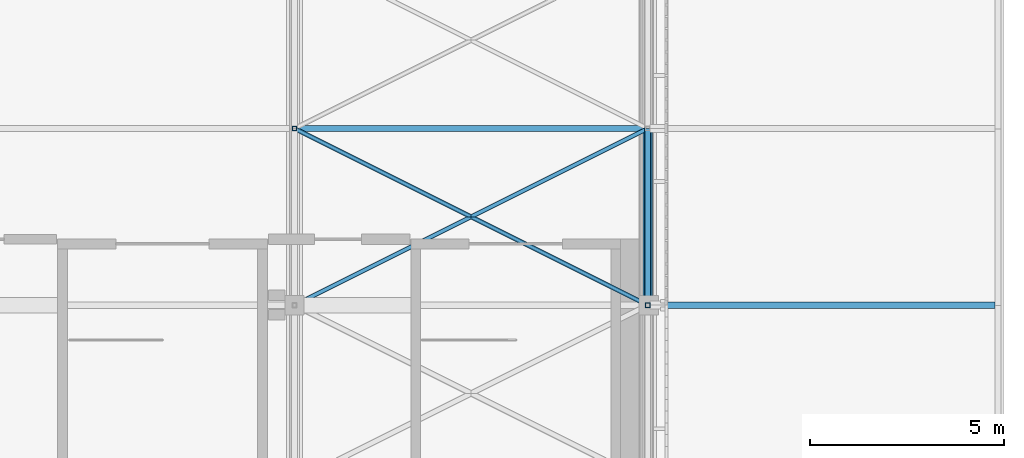
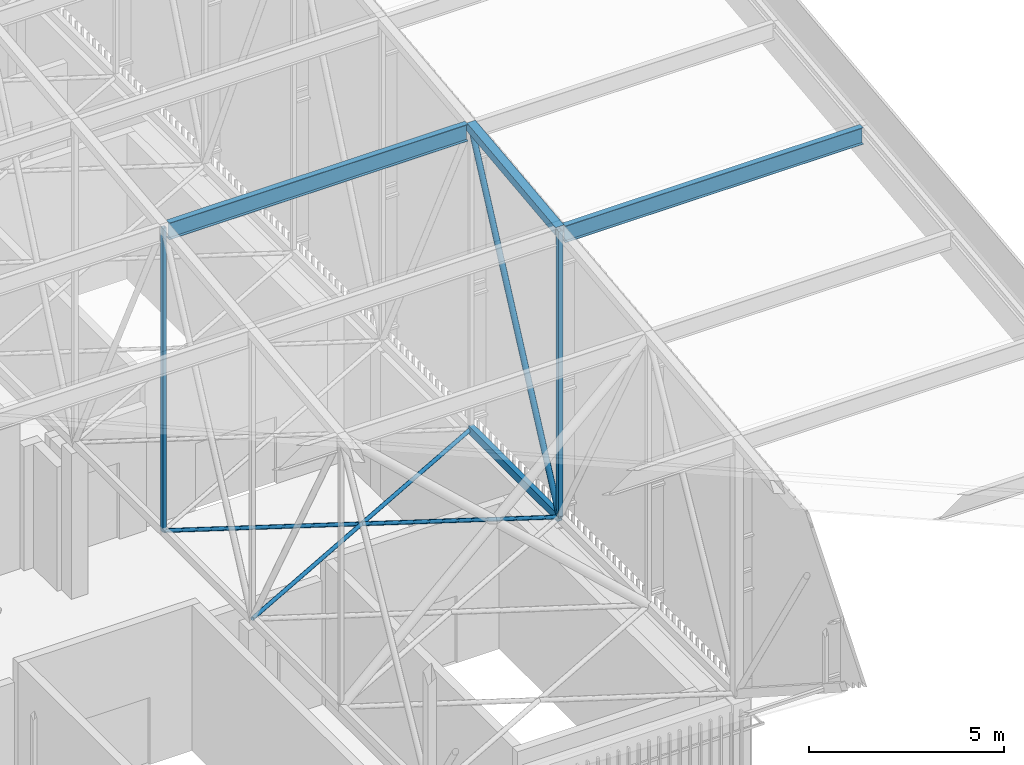
# One storey, part 342 of 500: 9 members.
"""IFC4 building model written with IfcOpenShell, lengths in metres."""

from ifc_helpers import new_model, si_unit, direction, frame, origin, origin_2d, place, context, subcontext, project, spatial, hollow_rectangle, hollow_circle, i_section, extrude, material, material_profile, profile_set, type_object, element, save


model = new_model("IFC4")

# Units and contexts
model_context = context("Model", 3, precision=1e-05, world=origin(), true_north=direction((0.0, 1.0)))
body_context = subcontext(model_context, "Body", "Model", "MODEL_VIEW")
ifc_project = project(units=[si_unit("LENGTHUNIT", "METRE"), si_unit("AREAUNIT", "SQUARE_METRE"), si_unit("VOLUMEUNIT", "CUBIC_METRE"), si_unit("PLANEANGLEUNIT", "RADIAN"), si_unit("MASSUNIT", "GRAM", prefix="KILO")], contexts=[model_context])

# Site, building, storey
site_placement = place(None, origin())
site = spatial("IfcSite", under=ifc_project, at=site_placement, CompositionType="ELEMENT")
building_placement = place(site_placement, origin())
building = spatial("IfcBuilding", under=site, at=building_placement, Name="Shirokan Park Arena", CompositionType="ELEMENT")
storey_placement = place(building_placement, frame((0.0, 0.0, 29.1201171875)))
storey = spatial("IfcBuildingStorey", under=building, at=storey_placement, Name="L06", CompositionType="ELEMENT", Elevation=29.1201171875)

# Members
ifc_material_1 = material(Name="Steel ASTM A500 Grade C", Category="steel")
ifc_material_profile_1 = material_profile(ifc_material_1, hollow_rectangle(XDim=0.152099609375, YDim=0.25390625, WallThickness=0.009521484375, at=origin_2d()), Name="HSS254X152.4X9.5")
ifc_profile_set_1 = profile_set([ifc_material_profile_1], Name="Steel ASTM A500 Grade C")
member_type_1 = type_object("IfcMemberType", Name="Bottom chord HSS254X152.4X9.5", PredefinedType="CHORD", material=ifc_profile_set_1)
member_1_placement = place(storey_placement, frame((145.60009765625, 9.10009765625, 4.677001953125), z_axis=(0.0, 1.0, 0.0), x_axis=(-1.0, 0.0, 0.0)))
element("IfcMember", 1, at=member_1_placement, inside=storey, type_object=member_type_1, Name="Truss T17 bottom chord 5", PredefinedType="CHORD", context=body_context, shape_type="SweptSolid", body=[
    extrude(hollow_rectangle(XDim=0.152099609375, YDim=0.25390625, WallThickness=0.009521484375, at=origin_2d()), origin(), (0.0, 0.0, 1.0), 4.5498046875),
])
ifc_material_profile_2 = material_profile(ifc_material_1, hollow_circle(Radius=0.056884765625, WallThickness=0.006103515625, at=origin_2d()), Name="HSS114.3X6")
ifc_profile_set_2 = profile_set([ifc_material_profile_2], Name="Steel ASTM A500 Grade C")
member_type_2 = type_object("IfcMemberType", Name="Plan bracing HSS114.3X6", PredefinedType="BRACE", material=ifc_profile_set_2)
for number, where, z_axis, x_axis, name in (
    (2, (136.5, 9.10009765625, 4.677001953125), (0.8944367893, 0.447194398385, 0.0), (-0.447194398385, 0.8944367893, 0.0), "Plan bracing bay 16 panel 5 A"),
    (3, (145.60009765625, 9.10009765625, 4.677001953125), (-0.8944367893, 0.447194398385, 0.0), (-0.447194398385, -0.8944367893, 0.0), "Plan bracing bay 16 panel 5 B"),
):
    element("IfcMember", number, at=place(storey_placement, frame(where, z_axis=z_axis, x_axis=x_axis)), inside=storey, type_object=member_type_2, Name=name, PredefinedType="BRACE", context=body_context, shape_type="SweptSolid", body=[
        extrude(hollow_circle(Radius=0.056884765625, WallThickness=0.006103515625, at=origin_2d()), origin(), (0.0, 0.0, 1.0), 10.174072265625),
    ])
ifc_material_2 = material(Name="Steel ASTM A992", Category="steel")
ifc_material_profile_3 = material_profile(ifc_material_2, i_section(OverallWidth=0.166015625, OverallDepth=0.528076171875, WebThickness=0.009765625, FlangeThickness=0.013671875, at=origin_2d()), Name="W530X74")
ifc_profile_set_3 = profile_set([ifc_material_profile_3], Name="Steel ASTM A992")
member_type_3 = type_object("IfcMemberType", Name="Purlin W530X74", PredefinedType="PURLIN", material=ifc_profile_set_3)
member_2_placement = place(storey_placement, frame((145.72705078125, 9.10009765625, 13.52587890625), z_axis=(1.0, 0.0, 0.0), x_axis=(0.0, 1.0, 0.0)))
element("IfcMember", 4, at=member_2_placement, inside=storey, type_object=member_type_3, Name="Eave purlin east 5", PredefinedType="PURLIN", context=body_context, shape_type="SweptSolid", body=[
    extrude(i_section(OverallWidth=0.166015625, OverallDepth=0.528076171875, WebThickness=0.009765625, FlangeThickness=0.013671875, at=origin_2d()), origin(), (0.0, 0.0, 1.0), 8.824951171875),
])
member_3_placement = place(storey_placement, frame((136.626953125, 13.64990234375, 14.0458984375), z_axis=(1.0, 0.0, 0.0), x_axis=(0.0, 1.0, 0.0)))
element("IfcMember", 5, at=member_3_placement, inside=storey, type_object=member_type_3, Name="Purlin 6 bay 16", PredefinedType="PURLIN", context=body_context, shape_type="SweptSolid", body=[
    extrude(i_section(OverallWidth=0.166015625, OverallDepth=0.528076171875, WebThickness=0.009765625, FlangeThickness=0.013671875, at=origin_2d()), origin(), (0.0, 0.0, 1.0), 8.845947265625),
])
ifc_material_profile_4 = material_profile(ifc_material_1, hollow_rectangle(XDim=0.25390625, YDim=0.25390625, WallThickness=0.009521484375, at=origin_2d()), Name="HSS254X254X9.5")
ifc_profile_set_4 = profile_set([ifc_material_profile_4], Name="Steel ASTM A500 Grade C")
member_type_4 = type_object("IfcMemberType", Name="Top chord HSS254X254X9.5", PredefinedType="CHORD", material=ifc_profile_set_4)
member_4_placement = place(storey_placement, frame((145.60009765625, 9.10009765625, 13.662841796875), z_axis=(0.0, 0.993531641592, 0.11355561261), x_axis=(-1.0, 0.0, 0.0)))
element("IfcMember", 6, at=member_4_placement, inside=storey, type_object=member_type_4, Name="Truss T17 top chord 5", PredefinedType="CHORD", context=body_context, shape_type="SweptSolid", body=[
    extrude(hollow_rectangle(XDim=0.25390625, YDim=0.25390625, WallThickness=0.009521484375, at=origin_2d()), origin(), (0.0, 0.0, 1.0), 4.579345703125),
])
ifc_material_profile_5 = material_profile(ifc_material_1, hollow_circle(Radius=0.083984375, WallThickness=0.009521484375, at=origin_2d()), Name="HSS168.3X9.5")
ifc_profile_set_5 = profile_set([ifc_material_profile_5], Name="Steel ASTM A500 Grade C")
member_type_5 = type_object("IfcMemberType", Name="Truss diagonal HSS168.3X9.5", PredefinedType="BRACE", material=ifc_profile_set_5)
member_5_placement = place(storey_placement, frame((145.60009765625, 9.10009765625, 4.677001953125), z_axis=(0.0, 0.431727628527, 0.90200402148), x_axis=(-1.0, 0.0, 0.0)))
element("IfcMember", 7, at=member_5_placement, inside=storey, type_object=member_type_5, Name="Truss T17 diagonal 5", PredefinedType="BRACE", context=body_context, shape_type="SweptSolid", body=[
    extrude(hollow_circle(Radius=0.083984375, WallThickness=0.009521484375, at=origin_2d()), origin(), (0.0, 0.0, 1.0), 10.53857421875),
])
ifc_material_profile_6 = material_profile(ifc_material_1, hollow_rectangle(XDim=0.114013671875, YDim=0.114013671875, WallThickness=0.00634765625, at=origin_2d()), Name="HSS114.3X114.3X6.4")
ifc_profile_set_6 = profile_set([ifc_material_profile_6], Name="Steel ASTM A500 Grade C")
member_type_6 = type_object("IfcMemberType", Name="Truss post HSS114.3X114.3X6.4", PredefinedType="POST", material=ifc_profile_set_6)
member_6_placement = place(storey_placement, frame((136.5, 13.64990234375, 4.677001953125), z_axis=(0.0, 0.0, 1.0), x_axis=(1.0, 0.0, 0.0)))
element("IfcMember", 8, at=member_6_placement, inside=storey, type_object=member_type_6, Name="Truss T16 post 6", PredefinedType="POST", context=body_context, shape_type="SweptSolid", body=[
    extrude(hollow_rectangle(XDim=0.114013671875, YDim=0.114013671875, WallThickness=0.00634765625, at=origin_2d()), origin(), (0.0, 0.0, 1.0), 9.505859375),
])
ifc_material_profile_7 = material_profile(ifc_material_1, hollow_rectangle(XDim=0.126953125, YDim=0.126953125, WallThickness=0.0126953125, at=origin_2d()), Name="HSS127X127X12.7")
ifc_profile_set_7 = profile_set([ifc_material_profile_7], Name="Steel ASTM A500 Grade C")
member_type_7 = type_object("IfcMemberType", Name="Truss post HSS127X127X12.7", PredefinedType="POST", material=ifc_profile_set_7)
member_7_placement = place(storey_placement, frame((145.60009765625, 9.10009765625, 4.677001953125), z_axis=(0.0, 0.0, 1.0), x_axis=(1.0, 0.0, 0.0)))
element("IfcMember", 9, at=member_7_placement, inside=storey, type_object=member_type_7, Name="Truss T17 post 5", PredefinedType="POST", context=body_context, shape_type="SweptSolid", body=[
    extrude(hollow_rectangle(XDim=0.126953125, YDim=0.126953125, WallThickness=0.0126953125, at=origin_2d()), origin(), (0.0, 0.0, 1.0), 8.98583984375),
])

save(model, "model.ifc")
